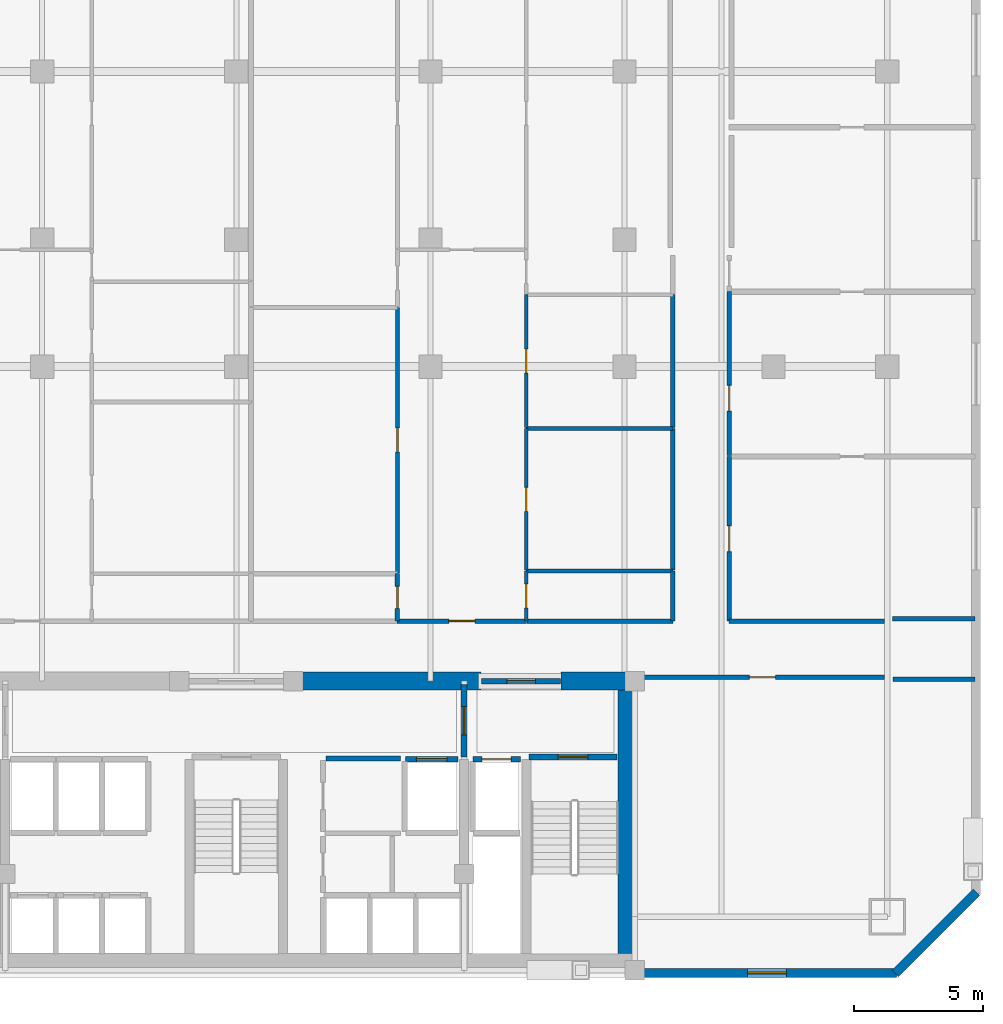
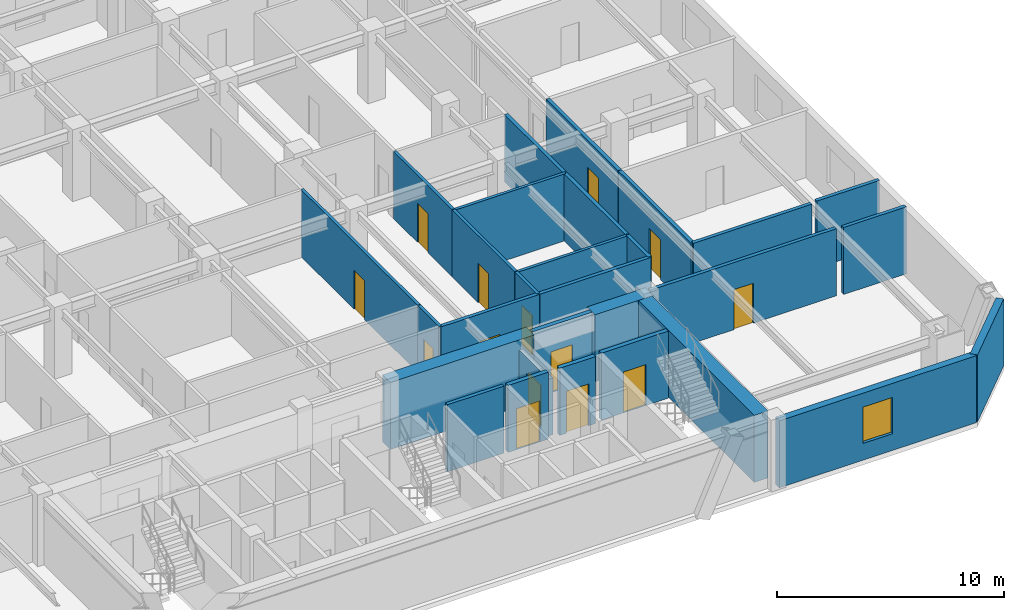
# One storey, part 5 of 9: 29 walls, 14 doors, 1 window, 15 openings.
"""IFC4 building model written with IfcOpenShell, lengths in metres."""

from ifc_helpers import new_model, si_unit, direction, frame, frame_2d, origin, place, context, subcontext, project, spatial, rectangle, extrude, material, layer, layer_set, type_object, element, fill, save


model = new_model("IFC4")

# Units and contexts
model_context = context("Model", 3, precision=1e-05, world=origin(), true_north=direction((0.0, 1.0)))
body_context = subcontext(model_context, "Body", "Model", "MODEL_VIEW")
ifc_project = project(units=[si_unit("LENGTHUNIT", "METRE"), si_unit("AREAUNIT", "SQUARE_METRE"), si_unit("VOLUMEUNIT", "CUBIC_METRE"), si_unit("PLANEANGLEUNIT", "RADIAN"), si_unit("MASSUNIT", "GRAM", prefix="KILO")], contexts=[model_context])

# Site, building, storey
site_placement = place(None, origin())
site = spatial("IfcSite", under=ifc_project, at=site_placement, CompositionType="ELEMENT")
building_placement = place(site_placement, origin())
building = spatial("IfcBuilding", under=site, at=building_placement, Name="Ventersveld Concourse Tower", CompositionType="ELEMENT")
storey_placement = place(building_placement, frame((0.0, 0.0, 84.89990234375)))
storey = spatial("IfcBuildingStorey", under=building, at=storey_placement, Name="L20", CompositionType="ELEMENT", Elevation=84.89990234375)

# Walls
ifc_material_1 = material(Name="Concrete C60/75", Category="concrete")
ifc_layer_1 = layer(ifc_material_1, 0.699951171875)
ifc_layer_set_1 = layer_set([ifc_layer_1], Name="Concrete C60/75")
wall_type_1 = type_object("IfcWallType", Name="WL-CORE-700", PredefinedType="SHEAR", material=ifc_layer_set_1)
wall_1_placement = place(storey_placement, frame((43.85009765625, 0.919921875, 0.0), z_axis=(0.0, 0.0, 1.0), x_axis=(0.0, 1.0, 0.0)))
element("IfcWall", 1, at=wall_1_placement, inside=storey, type_object=wall_type_1, Name="L20 Rear Core East Shear Wall", PredefinedType="SHEAR", context=body_context, shape_type="SweptSolid", body=[
    extrude(rectangle(XDim=10.530029296875, YDim=0.699951171875, at=frame_2d((5.26513671875, 0.0))), origin(), (0.0, 0.0, 1.0), 3.60009765625),
])
wall_2_placement = place(storey_placement, frame((30.89990234375, 11.449951171875, 0.0), z_axis=(0.0, 0.0, 1.0), x_axis=(1.0, 0.0, 0.0)))
element("IfcWall", 2, at=wall_2_placement, inside=storey, type_object=wall_type_1, Name="L20 Rear Core North Shear Wall NMR", PredefinedType="SHEAR", context=body_context, shape_type="SweptSolid", body=[
    extrude(rectangle(XDim=7.300048828125, YDim=0.699951171875, at=frame_2d((3.64990234375, 0.0))), origin(), (0.0, 0.0, 1.0), 3.60009765625),
])
wall_3_placement = place(storey_placement, frame((41.300048828125, 11.449951171875, 0.0), z_axis=(0.0, 0.0, 1.0), x_axis=(1.0, 0.0, 0.0)))
element("IfcWall", 3, at=wall_3_placement, inside=storey, type_object=wall_type_1, Name="L20 Rear Core North Shear Wall NE", PredefinedType="SHEAR", context=body_context, shape_type="SweptSolid", body=[
    extrude(rectangle(XDim=2.949951171875, YDim=0.699951171875, at=frame_2d((1.47509765625, 0.0))), origin(), (0.0, 0.0, 1.0), 3.60009765625),
])
ifc_material_2 = material(Name="Fire-rated autoclaved aerated masonry blockwork", Category="masonry")
ifc_layer_2 = layer(ifc_material_2, 0.179931640625)
ifc_layer_set_2 = layer_set([ifc_layer_2], Name="Fire-rated autoclaved aerated masonry blockwork")
wall_type_2 = type_object("IfcWallType", Name="WL-CORR-180", PredefinedType="PARTITIONING", material=ifc_layer_set_2)
wall_4_placement = place(storey_placement, frame((32.219970703125, 8.4599609375, 0.0), z_axis=(0.0, 0.0, 1.0), x_axis=(1.0, 0.0, 0.0)))
element("IfcWall", 4, at=wall_4_placement, inside=storey, type_object=wall_type_2, Name="L20 Core Top Wall SP-L20-CBAY1", PredefinedType="PARTITIONING", context=body_context, shape_type="SweptSolid", body=[
    extrude(rectangle(XDim=2.880126953125, YDim=0.179931640625, at=frame_2d((1.43994140625, 0.0))), origin(), (0.0, 0.0, 1.0), 3.60009765625),
])

# Wall, opening, door
wall_5_placement = place(storey_placement, frame((44.35498046875, 11.60009765625, 0.0), z_axis=(0.0, 0.0, 1.0), x_axis=(1.0, 0.0, 0.0)))
wall_5 = element("IfcWall", 5, at=wall_5_placement, inside=storey, type_object=wall_type_2, Name="L20 Interior Partition SP-L20-SE-OFF-SP-L20-COR", PredefinedType="PARTITIONING", context=body_context, shape_type="SweptSolid", body=[
    extrude(rectangle(XDim=9.43994140625, YDim=0.179931640625, at=frame_2d((4.719970703125, 0.0))), origin(), (0.0, 0.0, 1.0), 3.60009765625),
])
opening_1_placement = place(wall_5_placement, frame((4.219970703125, 0.0, 0.0)))
opening_1 = element("IfcOpeningElement", 6, at=opening_1_placement, cuts=wall_5, Name="Opening FD3", PredefinedType="OPENING", context=body_context, shape_type="SweptSolid", body=[
    extrude(rectangle(XDim=1.0, YDim=2.14990234375, at=frame_2d((0.5, 1.074951171875))), frame((0.0, 0.10009765625, 0.0), z_axis=(0.0, -1.0, 0.0), x_axis=(1.0, 0.0, 0.0)), (0.0, 0.0, 1.0), 0.199951171875),
])
ifc_material_3 = material(Name="Solid-core hardwood veneer timber", Category="wood")
door_type_1 = type_object("IfcDoorType", Name="DR-FLAT-100", OperationType="NOTDEFINED", PredefinedType="DOOR", material=ifc_material_3)
door_1_placement = place(opening_1_placement, origin())
door_1 = element("IfcDoor", 7, at=door_1_placement, inside=storey, type_object=door_type_1, Name="L20 Interior Door SP-L20-SE-OFF to SP-L20-COR (D-L20-0954)", OperationType="SINGLE_SWING_RIGHT", OverallHeight=2.14990234375, OverallWidth=1.0, PredefinedType="DOOR", context=body_context, shape_type="SweptSolid", body=[
    extrude(rectangle(XDim=1.0, YDim=2.14990234375, at=frame_2d((0.5, 1.074951171875))), frame((0.0, 0.02490234375, 0.0), z_axis=(0.0, -1.0, 0.0), x_axis=(1.0, 0.0, 0.0)), (0.0, 0.0, 1.0), 0.050048828125),
])
fill(opening_1, door_1)

wall_6_placement = place(storey_placement, frame((47.7900390625, 13.764892578125, 0.0), z_axis=(0.0, 0.0, 1.0), x_axis=(0.0, 1.0, 0.0)))
wall_6 = element("IfcWall", 8, at=wall_6_placement, inside=storey, type_object=wall_type_2, Name="L20 Interior Partition SP-L20-COR-SP-L20-NELNG1", PredefinedType="PARTITIONING", context=body_context, shape_type="SweptSolid", body=[
    extrude(rectangle(XDim=6.3701171875, YDim=0.179931640625, at=frame_2d((3.18505859375, 0.0))), origin(), (0.0, 0.0, 1.0), 3.60009765625),
])
opening_2_placement = place(wall_6_placement, frame((2.68505859375, 0.0, 0.0)))
opening_2 = element("IfcOpeningElement", 9, at=opening_2_placement, cuts=wall_6, Name="Opening FD3", PredefinedType="OPENING", context=body_context, shape_type="SweptSolid", body=[
    extrude(rectangle(XDim=1.0, YDim=2.14990234375, at=frame_2d((0.5, 1.074951171875))), frame((0.0, 0.10009765625, 0.0), z_axis=(0.0, -1.0, 0.0), x_axis=(1.0, 0.0, 0.0)), (0.0, 0.0, 1.0), 0.199951171875),
])
door_2_placement = place(opening_2_placement, origin())
door_2 = element("IfcDoor", 10, at=door_2_placement, inside=storey, type_object=door_type_1, Name="L20 Interior Door SP-L20-COR to SP-L20-NELNG1 (D-L20-0958)", OperationType="SINGLE_SWING_RIGHT", OverallHeight=2.14990234375, OverallWidth=1.0, PredefinedType="DOOR", context=body_context, shape_type="SweptSolid", body=[
    extrude(rectangle(XDim=1.0, YDim=2.14990234375, at=frame_2d((0.5, 1.074951171875))), frame((0.0, 0.02490234375, 0.0), z_axis=(0.0, -1.0, 0.0), x_axis=(1.0, 0.0, 0.0)), (0.0, 0.0, 1.0), 0.050048828125),
])
fill(opening_2, door_2)

# Wall
wall_7_placement = place(storey_placement, frame((47.784912109375, 13.77001953125, 0.0), z_axis=(0.0, 0.0, 1.0), x_axis=(1.0, 0.0, 0.0)))
element("IfcWall", 11, at=wall_7_placement, inside=storey, type_object=wall_type_2, Name="L20 Interior Partition SP-L20-COR-SP-L20-NELNG1", PredefinedType="PARTITIONING", context=body_context, shape_type="SweptSolid", body=[
    extrude(rectangle(XDim=6.010009765625, YDim=0.179931640625, at=frame_2d((3.0048828125, 0.0))), origin(), (0.0, 0.0, 1.0), 3.60009765625),
])

# Wall, opening, door
wall_8_placement = place(storey_placement, frame((47.7900390625, 20.1650390625, 0.0), z_axis=(0.0, 0.0, 1.0), x_axis=(0.0, 1.0, 0.0)))
wall_8 = element("IfcWall", 12, at=wall_8_placement, inside=storey, type_object=wall_type_2, Name="L20 Interior Partition SP-L20-COR-SP-L20-NELNG2", PredefinedType="PARTITIONING", context=body_context, shape_type="SweptSolid", body=[
    extrude(rectangle(XDim=6.330078125, YDim=0.179931640625, at=frame_2d((3.1650390625, 0.0))), origin(), (0.0, 0.0, 1.0), 3.60009765625),
])
opening_3_placement = place(wall_8_placement, frame((1.715576171875, 0.0, 0.0)))
opening_3 = element("IfcOpeningElement", 13, at=opening_3_placement, cuts=wall_8, Name="Opening FD3", PredefinedType="OPENING", context=body_context, shape_type="SweptSolid", body=[
    extrude(rectangle(XDim=1.0, YDim=2.14990234375, at=frame_2d((0.5, 1.074951171875))), frame((0.0, 0.10009765625, 0.0), z_axis=(0.0, -1.0, 0.0), x_axis=(1.0, 0.0, 0.0)), (0.0, 0.0, 1.0), 0.199951171875),
])
door_3_placement = place(opening_3_placement, origin())
door_3 = element("IfcDoor", 14, at=door_3_placement, inside=storey, type_object=door_type_1, Name="L20 Interior Door SP-L20-COR to SP-L20-NELNG2 (D-L20-0959)", OperationType="SINGLE_SWING_LEFT", OverallHeight=2.14990234375, OverallWidth=1.0, PredefinedType="DOOR", context=body_context, shape_type="SweptSolid", body=[
    extrude(rectangle(XDim=1.0, YDim=2.14990234375, at=frame_2d((0.5, 1.074951171875))), frame((0.0, 0.02490234375, 0.0), z_axis=(0.0, -1.0, 0.0), x_axis=(1.0, 0.0, 0.0)), (0.0, 0.0, 1.0), 0.050048828125),
])
fill(opening_3, door_3)

wall_9_placement = place(storey_placement, frame((34.967041015625, 13.77001953125, 0.0), z_axis=(0.0, 0.0, 1.0), x_axis=(1.0, 0.0, 0.0)))
wall_9 = element("IfcWall", 15, at=wall_9_placement, inside=storey, type_object=wall_type_2, Name="L20 Interior Partition SP-L20-COR-SP-L20-20N2-FOY", PredefinedType="PARTITIONING", context=body_context, shape_type="SweptSolid", body=[
    extrude(rectangle(XDim=4.989990234375, YDim=0.179931640625, at=frame_2d((2.4951171875, 0.0))), origin(), (0.0, 0.0, 1.0), 3.60009765625),
])
opening_4_placement = place(wall_9_placement, frame((1.9951171875, 0.0, 0.0)))
opening_4 = element("IfcOpeningElement", 16, at=opening_4_placement, cuts=wall_9, Name="Opening FD3", PredefinedType="OPENING", context=body_context, shape_type="SweptSolid", body=[
    extrude(rectangle(XDim=1.0, YDim=2.14990234375, at=frame_2d((0.5, 1.074951171875))), frame((0.0, 0.10009765625, 0.0), z_axis=(0.0, -1.0, 0.0), x_axis=(1.0, 0.0, 0.0)), (0.0, 0.0, 1.0), 0.199951171875),
])
door_4_placement = place(opening_4_placement, origin())
door_4 = element("IfcDoor", 17, at=door_4_placement, inside=storey, type_object=door_type_1, Name="L20 Interior Door SP-L20-COR to SP-L20-20N2-FOY (FD-L20-0962)", OperationType="SINGLE_SWING_RIGHT", OverallHeight=2.14990234375, OverallWidth=1.0, PredefinedType="DOOR", context=body_context, shape_type="SweptSolid", body=[
    extrude(rectangle(XDim=1.0, YDim=2.14990234375, at=frame_2d((0.5, 1.074951171875))), frame((0.0, 0.02490234375, 0.0), z_axis=(0.0, -1.0, 0.0), x_axis=(1.0, 0.0, 0.0)), (0.0, 0.0, 1.0), 0.050048828125),
])
fill(opening_4, door_4)

# Walls
wall_10_placement = place(storey_placement, frame((39.987060546875, 13.77001953125, 0.0), z_axis=(0.0, 0.0, 1.0), x_axis=(1.0, 0.0, 0.0)))
element("IfcWall", 18, at=wall_10_placement, inside=storey, type_object=wall_type_2, Name="L20 Interior Partition SP-L20-COR-SP-L20-20N2-KIT", PredefinedType="PARTITIONING", context=body_context, shape_type="SweptSolid", body=[
    extrude(rectangle(XDim=5.6279296875, YDim=0.179931640625, at=frame_2d((2.81396484375, 0.0))), origin(), (0.0, 0.0, 1.0), 3.60009765625),
])
wall_11_placement = place(storey_placement, frame((45.610107421875, 13.764892578125, 0.0), z_axis=(0.0, 0.0, 1.0), x_axis=(0.0, 1.0, 0.0)))
element("IfcWall", 19, at=wall_11_placement, inside=storey, type_object=wall_type_2, Name="L20 Interior Partition SP-L20-COR-SP-L20-20N2-KIT", PredefinedType="PARTITIONING", context=body_context, shape_type="SweptSolid", body=[
    extrude(rectangle(XDim=1.942626953125, YDim=0.179931640625, at=frame_2d((0.97119140625, 0.0))), origin(), (0.0, 0.0, 1.0), 3.60009765625),
])
wall_12_placement = place(storey_placement, frame((45.610107421875, 15.737548828125, 0.0), z_axis=(0.0, 0.0, 1.0), x_axis=(0.0, 1.0, 0.0)))
element("IfcWall", 20, at=wall_12_placement, inside=storey, type_object=wall_type_2, Name="L20 Interior Partition SP-L20-COR-SP-L20-20N2-SEMR1", PredefinedType="PARTITIONING", context=body_context, shape_type="SweptSolid", body=[
    extrude(rectangle(XDim=5.471923828125, YDim=0.179931640625, at=frame_2d((2.73583984375, 0.0))), origin(), (0.0, 0.0, 1.0), 3.60009765625),
])
wall_13_placement = place(storey_placement, frame((45.610107421875, 21.239501953125, 0.0), z_axis=(0.0, 0.0, 1.0), x_axis=(0.0, 1.0, 0.0)))
element("IfcWall", 21, at=wall_13_placement, inside=storey, type_object=wall_type_2, Name="L20 Interior Partition SP-L20-COR-SP-L20-20N2-SEMR3", PredefinedType="PARTITIONING", context=body_context, shape_type="SweptSolid", body=[
    extrude(rectangle(XDim=5.145263671875, YDim=0.179931640625, at=frame_2d((2.57275390625, 0.0))), origin(), (0.0, 0.0, 1.0), 3.60009765625),
])
wall_14_placement = place(storey_placement, frame((54.1123046875, 11.52001953125, 0.0), z_axis=(0.0, 0.0, 1.0), x_axis=(1.0, 0.0, 0.0)))
element("IfcWall", 22, at=wall_14_placement, inside=storey, type_object=wall_type_2, Name="L20 Room Enclosure Wall SP-L20-SE-OFF", PredefinedType="PARTITIONING", context=body_context, shape_type="SweptSolid", body=[
    extrude(rectangle(XDim=3.177734375, YDim=0.179931640625, at=frame_2d((1.5888671875, 0.0))), origin(), (0.0, 0.0, 1.0), 3.60009765625),
])
wall_15_placement = place(storey_placement, frame((57.2900390625, 13.860107421875, 0.0), z_axis=(0.0, 0.0, 1.0), x_axis=(-1.0, 0.0, 0.0)))
element("IfcWall", 23, at=wall_15_placement, inside=storey, type_object=wall_type_2, Name="L20 Room Enclosure Wall SP-L20-NELNG1", PredefinedType="PARTITIONING", context=body_context, shape_type="SweptSolid", body=[
    extrude(rectangle(XDim=3.18017578125, YDim=0.179931640625, at=frame_2d((1.590087890625, 0.0))), origin(), (0.0, 0.0, 1.0), 3.60009765625),
])

# Wall, opening, door
ifc_layer_3 = layer(ifc_material_2, 0.219970703125)
ifc_layer_set_3 = layer_set([ifc_layer_3], Name="Fire-rated autoclaved aerated masonry blockwork")
wall_type_3 = type_object("IfcWallType", Name="WL-HOIST-220", PredefinedType="SOLIDWALL", material=ifc_layer_set_3)
wall_16_placement = place(storey_placement, frame((37.89990234375, 8.429931640625, 0.0), z_axis=(0.0, 0.0, 1.0), x_axis=(1.0, 0.0, 0.0)))
wall_16 = element("IfcWall", 24, at=wall_16_placement, inside=storey, type_object=wall_type_3, Name="L20 Lift Hoistway Front Wall FFL-02", PredefinedType="SOLIDWALL", context=body_context, shape_type="SweptSolid", body=[
    extrude(rectangle(XDim=1.820068359375, YDim=0.219970703125, at=frame_2d((0.91015625, 0.0))), origin(), (0.0, 0.0, 1.0), 3.60009765625),
])
opening_5_placement = place(wall_16_placement, frame((0.35009765625, 0.0, 0.0)))
opening_5 = element("IfcOpeningElement", 25, at=opening_5_placement, cuts=wall_16, Name="Opening LD1", PredefinedType="OPENING", context=body_context, shape_type="SweptSolid", body=[
    extrude(rectangle(XDim=1.1201171875, YDim=2.25, at=frame_2d((0.56005859375, 1.125))), frame((0.0, 0.1201171875, 0.0), z_axis=(0.0, -1.0, 0.0), x_axis=(1.0, 0.0, 0.0)), (0.0, 0.0, 1.0), 0.239990234375),
])
ifc_material_4 = material(Name="Brushed stainless steel 316", Category="steel")
door_type_2 = type_object("IfcDoorType", Name="LD-FF-112", OperationType="SLIDING_TO_LEFT", PredefinedType="DOOR", material=ifc_material_4)
door_5_placement = place(opening_5_placement, origin())
door_5 = element("IfcDoor", 26, at=door_5_placement, inside=storey, type_object=door_type_2, Name="L20 Lift landing door FFL-02 (LD-L20-FFL-02)", OperationType="SLIDING_TO_RIGHT", OverallHeight=2.25, OverallWidth=1.1201171875, PredefinedType="DOOR", context=body_context, shape_type="SweptSolid", body=[
    extrude(rectangle(XDim=1.1201171875, YDim=2.25, at=frame_2d((0.56005859375, 1.125))), frame((0.0, 0.02490234375, 0.0), z_axis=(0.0, -1.0, 0.0), x_axis=(1.0, 0.0, 0.0)), (0.0, 0.0, 1.0), 0.050048828125),
])
fill(opening_5, door_5)

wall_17_placement = place(storey_placement, frame((35.280029296875, 8.429931640625, 0.0), z_axis=(0.0, 0.0, 1.0), x_axis=(1.0, 0.0, 0.0)))
wall_17 = element("IfcWall", 27, at=wall_17_placement, inside=storey, type_object=wall_type_3, Name="L20 Lift Hoistway Front Wall SVL-01", PredefinedType="SOLIDWALL", context=body_context, shape_type="SweptSolid", body=[
    extrude(rectangle(XDim=2.0400390625, YDim=0.219970703125, at=frame_2d((1.02001953125, 0.0))), origin(), (0.0, 0.0, 1.0), 3.60009765625),
])
opening_6_placement = place(wall_17_placement, frame((0.429931640625, 0.0, 0.0)))
opening_6 = element("IfcOpeningElement", 28, at=opening_6_placement, cuts=wall_17, Name="Opening LD2", PredefinedType="OPENING", context=body_context, shape_type="SweptSolid", body=[
    extrude(rectangle(XDim=1.179931640625, YDim=2.199951171875, at=frame_2d((0.58984375, 1.10009765625))), frame((0.0, 0.1201171875, 0.0), z_axis=(0.0, -1.0, 0.0), x_axis=(1.0, 0.0, 0.0)), (0.0, 0.0, 1.0), 0.239990234375),
])
door_type_3 = type_object("IfcDoorType", Name="LD-PAX-118", OperationType="SLIDING_TO_LEFT", PredefinedType="DOOR", material=ifc_material_4)
door_6_placement = place(opening_6_placement, origin())
door_6 = element("IfcDoor", 29, at=door_6_placement, inside=storey, type_object=door_type_3, Name="L20 Lift landing door SVL-01 (LD-L20-SVL-01)", OperationType="SLIDING_TO_LEFT", OverallHeight=2.199951171875, OverallWidth=1.179931640625, PredefinedType="DOOR", context=body_context, shape_type="SweptSolid", body=[
    extrude(rectangle(XDim=1.179931640625, YDim=2.199951171875, at=frame_2d((0.58984375, 1.10009765625))), frame((0.0, 0.02490234375, 0.0), z_axis=(0.0, -1.0, 0.0), x_axis=(1.0, 0.0, 0.0)), (0.0, 0.0, 1.0), 0.050048828125),
])
fill(opening_6, door_6)

wall_18_placement = place(storey_placement, frame((40.06005859375, 8.52001953125, 0.0), z_axis=(0.0, 0.0, 1.0), x_axis=(1.0, 0.0, 0.0)))
wall_18 = element("IfcWall", 30, at=wall_18_placement, inside=storey, type_object=wall_type_3, Name="L20 Escape Stair ST02 Fire Wall", PredefinedType="SOLIDWALL", context=body_context, shape_type="SweptSolid", body=[
    extrude(rectangle(XDim=3.39990234375, YDim=0.219970703125, at=frame_2d((1.699951171875, 0.0))), origin(), (0.0, 0.0, 1.0), 3.60009765625),
])
opening_7_placement = place(wall_18_placement, frame((1.125, 0.0, 0.0)))
opening_7 = element("IfcOpeningElement", 31, at=opening_7_placement, cuts=wall_18, Name="Opening FD1", PredefinedType="OPENING", context=body_context, shape_type="SweptSolid", body=[
    extrude(rectangle(XDim=1.14990234375, YDim=2.199951171875, at=frame_2d((0.574951171875, 1.10009765625))), frame((0.0, 0.1201171875, 0.0), z_axis=(0.0, -1.0, 0.0), x_axis=(1.0, 0.0, 0.0)), (0.0, 0.0, 1.0), 0.239990234375),
])
ifc_material_5 = material(Name="Galvanised painted steel", Category="steel")
door_type_4 = type_object("IfcDoorType", Name="DR-STAIR-115", OperationType="NOTDEFINED", PredefinedType="DOOR", material=ifc_material_5)
door_7_placement = place(opening_7_placement, origin())
door_7 = element("IfcDoor", 32, at=door_7_placement, inside=storey, type_object=door_type_4, Name="L20 Escape Stair Door ST02 (SD-L20-0944)", OperationType="SINGLE_SWING_RIGHT", OverallHeight=2.199951171875, OverallWidth=1.14990234375, PredefinedType="DOOR", context=body_context, shape_type="SweptSolid", body=[
    extrude(rectangle(XDim=1.14990234375, YDim=2.199951171875, at=frame_2d((0.574951171875, 1.10009765625))), frame((0.0, 0.02490234375, 0.0), z_axis=(0.0, -1.0, 0.0), x_axis=(1.0, 0.0, 0.0)), (0.0, 0.0, 1.0), 0.050048828125),
])
fill(opening_7, door_7)

wall_19_placement = place(storey_placement, frame((37.550048828125, 8.52001953125, 0.0), z_axis=(0.0, 0.0, 1.0), x_axis=(0.0, 1.0, 0.0)))
wall_19 = element("IfcWall", 33, at=wall_19_placement, inside=storey, type_object=wall_type_3, Name="L20 Firefighting Lobby Smoke-Stop Wall FFLE-SEP", PredefinedType="SOLIDWALL", context=body_context, shape_type="SweptSolid", body=[
    extrude(rectangle(XDim=2.800048828125, YDim=0.219970703125, at=frame_2d((1.39990234375, 0.0))), origin(), (0.0, 0.0, 1.0), 3.0556640625),
])
opening_8_placement = place(wall_19_placement, frame((0.85009765625, 0.0, 0.0)))
opening_8 = element("IfcOpeningElement", 34, at=opening_8_placement, cuts=wall_19, Name="Opening FD2", PredefinedType="OPENING", context=body_context, shape_type="SweptSolid", body=[
    extrude(rectangle(XDim=1.10009765625, YDim=2.199951171875, at=frame_2d((0.550048828125, 1.10009765625))), frame((0.0, 0.1201171875, 0.0), z_axis=(0.0, -1.0, 0.0), x_axis=(1.0, 0.0, 0.0)), (0.0, 0.0, 1.0), 0.239990234375),
])
door_type_5 = type_object("IfcDoorType", Name="DR-FFL-110", OperationType="NOTDEFINED", PredefinedType="DOOR", material=ifc_material_5)
door_8_placement = place(opening_8_placement, origin())
door_8 = element("IfcDoor", 35, at=door_8_placement, inside=storey, type_object=door_type_5, Name="L20 Firefighting Lobby Door FFLE-SEP (FD-L20-0947)", OperationType="SINGLE_SWING_RIGHT", OverallHeight=2.199951171875, OverallWidth=1.10009765625, PredefinedType="DOOR", context=body_context, shape_type="SweptSolid", body=[
    extrude(rectangle(XDim=1.10009765625, YDim=2.199951171875, at=frame_2d((0.550048828125, 1.10009765625))), frame((0.0, 0.02490234375, 0.0), z_axis=(0.0, -1.0, 0.0), x_axis=(1.0, 0.0, 0.0)), (0.0, 0.0, 1.0), 0.050048828125),
])
fill(opening_8, door_8)

wall_20_placement = place(storey_placement, frame((38.22998046875, 11.449951171875, 0.0), z_axis=(0.0, 0.0, 1.0), x_axis=(1.0, 0.0, 0.0)))
wall_20 = element("IfcWall", 36, at=wall_20_placement, inside=storey, type_object=wall_type_3, Name="L20 Core North Fire Portal FFLE-OUT", PredefinedType="SOLIDWALL", context=body_context, shape_type="SweptSolid", body=[
    extrude(rectangle(XDim=3.0400390625, YDim=0.219970703125, at=frame_2d((1.52001953125, 0.0))), origin(), (0.0, 0.0, 1.0), 3.60009765625),
])
opening_9_placement = place(wall_20_placement, frame((0.969970703125, 0.0, 0.0)))
opening_9 = element("IfcOpeningElement", 37, at=opening_9_placement, cuts=wall_20, Name="Opening FD2", PredefinedType="OPENING", context=body_context, shape_type="SweptSolid", body=[
    extrude(rectangle(XDim=1.10009765625, YDim=2.199951171875, at=frame_2d((0.550048828125, 1.10009765625))), frame((0.0, 0.1201171875, 0.0), z_axis=(0.0, -1.0, 0.0), x_axis=(1.0, 0.0, 0.0)), (0.0, 0.0, 1.0), 0.239990234375),
])
door_9_placement = place(opening_9_placement, origin())
door_9 = element("IfcDoor", 38, at=door_9_placement, inside=storey, type_object=door_type_5, Name="L20 Core Lobby Fire Door FFLE-OUT (FD-L20-0950)", OperationType="SINGLE_SWING_LEFT", OverallHeight=2.199951171875, OverallWidth=1.10009765625, PredefinedType="DOOR", context=body_context, shape_type="SweptSolid", body=[
    extrude(rectangle(XDim=1.10009765625, YDim=2.199951171875, at=frame_2d((0.550048828125, 1.10009765625))), frame((0.0, 0.02490234375, 0.0), z_axis=(0.0, -1.0, 0.0), x_axis=(1.0, 0.0, 0.0)), (0.0, 0.0, 1.0), 0.050048828125),
])
fill(opening_9, door_9)

ifc_material_6 = material(Name="Autoclaved aerated masonry blockwork", Category="masonry")
ifc_layer_4 = layer(ifc_material_6, 0.14990234375)
ifc_layer_set_4 = layer_set([ifc_layer_4], Name="Autoclaved aerated masonry blockwork")
wall_type_4 = type_object("IfcWallType", Name="WL-INT-150", PredefinedType="PARTITIONING", material=ifc_layer_set_4)
wall_21_placement = place(storey_placement, frame((34.97216796875, 15.635009765625, 0.0), z_axis=(0.0, 0.0, 1.0), x_axis=(0.0, 1.0, 0.0)))
wall_21 = element("IfcWall", 39, at=wall_21_placement, inside=storey, type_object=wall_type_4, Name="L20 Interior Partition SP-L20-20N2-FOY-SP-L20-20N2-OFFL0", PredefinedType="PARTITIONING", context=body_context, shape_type="SweptSolid", body=[
    extrude(rectangle(XDim=10.25634765625, YDim=0.14990234375, at=frame_2d((5.128173828125, 0.0))), origin(), (0.0, 0.0, 1.0), 3.60009765625),
])
opening_10_placement = place(wall_21_placement, frame((4.668212890625, 0.0, 0.0)))
opening_10 = element("IfcOpeningElement", 40, at=opening_10_placement, cuts=wall_21, Name="Opening ID1", PredefinedType="OPENING", context=body_context, shape_type="SweptSolid", body=[
    extrude(rectangle(XDim=0.919921875, YDim=2.10009765625, at=frame_2d((0.4599609375, 1.050048828125))), frame((0.0, 0.0849609375, 0.0), z_axis=(0.0, -1.0, 0.0), x_axis=(1.0, 0.0, 0.0)), (0.0, 0.0, 1.0), 0.169921875),
])
door_type_6 = type_object("IfcDoorType", Name="DR-ROOM-092", OperationType="NOTDEFINED", PredefinedType="DOOR", material=ifc_material_3)
door_10_placement = place(opening_10_placement, origin())
door_10 = element("IfcDoor", 41, at=door_10_placement, inside=storey, type_object=door_type_6, Name="L20 Interior Door SP-L20-20N2-FOY to SP-L20-20N2-OFFL0 (D-L20-0986)", OperationType="SINGLE_SWING_RIGHT", OverallHeight=2.10009765625, OverallWidth=0.919921875, PredefinedType="DOOR", context=body_context, shape_type="SweptSolid", body=[
    extrude(rectangle(XDim=0.919921875, YDim=2.10009765625, at=frame_2d((0.4599609375, 1.050048828125))), frame((0.0, 0.02490234375, 0.0), z_axis=(0.0, -1.0, 0.0), x_axis=(1.0, 0.0, 0.0)), (0.0, 0.0, 1.0), 0.050048828125),
])
fill(opening_10, door_10)

wall_22_placement = place(storey_placement, frame((39.9521484375, 13.764892578125, 0.0), z_axis=(0.0, 0.0, 1.0), x_axis=(0.0, 1.0, 0.0)))
wall_22 = element("IfcWall", 42, at=wall_22_placement, inside=storey, type_object=wall_type_4, Name="L20 Interior Partition SP-L20-20N2-FOY-SP-L20-20N2-KIT", PredefinedType="PARTITIONING", context=body_context, shape_type="SweptSolid", body=[
    extrude(rectangle(XDim=1.942626953125, YDim=0.14990234375, at=frame_2d((0.97119140625, 0.0))), origin(), (0.0, 0.0, 1.0), 3.60009765625),
])
opening_11_placement = place(wall_22_placement, frame((0.51123046875, 0.0, 0.0)))
opening_11 = element("IfcOpeningElement", 43, at=opening_11_placement, cuts=wall_22, Name="Opening ID1", PredefinedType="OPENING", context=body_context, shape_type="SweptSolid", body=[
    extrude(rectangle(XDim=0.919921875, YDim=2.10009765625, at=frame_2d((0.4599609375, 1.050048828125))), frame((0.0, 0.0849609375, 0.0), z_axis=(0.0, -1.0, 0.0), x_axis=(1.0, 0.0, 0.0)), (0.0, 0.0, 1.0), 0.169921875),
])
door_11_placement = place(opening_11_placement, origin())
door_11 = element("IfcDoor", 44, at=door_11_placement, inside=storey, type_object=door_type_6, Name="L20 Interior Door SP-L20-20N2-FOY to SP-L20-20N2-KIT (D-L20-0988)", OperationType="SINGLE_SWING_RIGHT", OverallHeight=2.10009765625, OverallWidth=0.919921875, PredefinedType="DOOR", context=body_context, shape_type="SweptSolid", body=[
    extrude(rectangle(XDim=0.919921875, YDim=2.10009765625, at=frame_2d((0.4599609375, 1.050048828125))), frame((0.0, 0.02490234375, 0.0), z_axis=(0.0, -1.0, 0.0), x_axis=(1.0, 0.0, 0.0)), (0.0, 0.0, 1.0), 0.050048828125),
])
fill(opening_11, door_11)

wall_23_placement = place(storey_placement, frame((39.9521484375, 15.737548828125, 0.0), z_axis=(0.0, 0.0, 1.0), x_axis=(0.0, 1.0, 0.0)))
wall_23 = element("IfcWall", 45, at=wall_23_placement, inside=storey, type_object=wall_type_4, Name="L20 Interior Partition SP-L20-20N2-FOY-SP-L20-20N2-SEMR1", PredefinedType="PARTITIONING", context=body_context, shape_type="SweptSolid", body=[
    extrude(rectangle(XDim=5.471923828125, YDim=0.14990234375, at=frame_2d((2.73583984375, 0.0))), origin(), (0.0, 0.0, 1.0), 3.60009765625),
])
opening_12_placement = place(wall_23_placement, frame((2.27587890625, 0.0, 0.0)))
opening_12 = element("IfcOpeningElement", 46, at=opening_12_placement, cuts=wall_23, Name="Opening ID1", PredefinedType="OPENING", context=body_context, shape_type="SweptSolid", body=[
    extrude(rectangle(XDim=0.919921875, YDim=2.10009765625, at=frame_2d((0.4599609375, 1.050048828125))), frame((0.0, 0.0849609375, 0.0), z_axis=(0.0, -1.0, 0.0), x_axis=(1.0, 0.0, 0.0)), (0.0, 0.0, 1.0), 0.169921875),
])
door_12_placement = place(opening_12_placement, origin())
door_12 = element("IfcDoor", 47, at=door_12_placement, inside=storey, type_object=door_type_6, Name="L20 Interior Door SP-L20-20N2-FOY to SP-L20-20N2-SEMR1 (D-L20-0989)", OperationType="SINGLE_SWING_LEFT", OverallHeight=2.10009765625, OverallWidth=0.919921875, PredefinedType="DOOR", context=body_context, shape_type="SweptSolid", body=[
    extrude(rectangle(XDim=0.919921875, YDim=2.10009765625, at=frame_2d((0.4599609375, 1.050048828125))), frame((0.0, 0.02490234375, 0.0), z_axis=(0.0, -1.0, 0.0), x_axis=(1.0, 0.0, 0.0)), (0.0, 0.0, 1.0), 0.050048828125),
])
fill(opening_12, door_12)

wall_24_placement = place(storey_placement, frame((39.9521484375, 21.239501953125, 0.0), z_axis=(0.0, 0.0, 1.0), x_axis=(0.0, 1.0, 0.0)))
wall_24 = element("IfcWall", 48, at=wall_24_placement, inside=storey, type_object=wall_type_4, Name="L20 Interior Partition SP-L20-20N2-FOY-SP-L20-20N2-SEMR3", PredefinedType="PARTITIONING", context=body_context, shape_type="SweptSolid", body=[
    extrude(rectangle(XDim=5.145263671875, YDim=0.14990234375, at=frame_2d((2.57275390625, 0.0))), origin(), (0.0, 0.0, 1.0), 3.60009765625),
])
opening_13_placement = place(wall_24_placement, frame((2.112548828125, 0.0, 0.0)))
opening_13 = element("IfcOpeningElement", 49, at=opening_13_placement, cuts=wall_24, Name="Opening ID1", PredefinedType="OPENING", context=body_context, shape_type="SweptSolid", body=[
    extrude(rectangle(XDim=0.919921875, YDim=2.10009765625, at=frame_2d((0.4599609375, 1.050048828125))), frame((0.0, 0.0849609375, 0.0), z_axis=(0.0, -1.0, 0.0), x_axis=(1.0, 0.0, 0.0)), (0.0, 0.0, 1.0), 0.169921875),
])
door_13_placement = place(opening_13_placement, origin())
door_13 = element("IfcDoor", 50, at=door_13_placement, inside=storey, type_object=door_type_6, Name="L20 Interior Door SP-L20-20N2-FOY to SP-L20-20N2-SEMR3 (D-L20-0990)", OperationType="SINGLE_SWING_RIGHT", OverallHeight=2.10009765625, OverallWidth=0.919921875, PredefinedType="DOOR", context=body_context, shape_type="SweptSolid", body=[
    extrude(rectangle(XDim=0.919921875, YDim=2.10009765625, at=frame_2d((0.4599609375, 1.050048828125))), frame((0.0, 0.02490234375, 0.0), z_axis=(0.0, -1.0, 0.0), x_axis=(1.0, 0.0, 0.0)), (0.0, 0.0, 1.0), 0.050048828125),
])
fill(opening_13, door_13)

# Walls
for number, where, z_axis, x_axis, name in (
    (51, (39.947021484375, 15.702392578125, 0.0), (0.0, 0.0, 1.0), (1.0, 0.0, 0.0), "L20 Interior Partition SP-L20-20N2-KIT-SP-L20-20N2-SEMR1"),
    (52, (39.947021484375, 21.20458984375, 0.0), (0.0, 0.0, 1.0), (1.0, 0.0, 0.0), "L20 Interior Partition SP-L20-20N2-SEMR1-SP-L20-20N2-SEMR3"),
):
    element("IfcWall", number, at=place(storey_placement, frame(where, z_axis=z_axis, x_axis=x_axis)), inside=storey, type_object=wall_type_4, Name=name, PredefinedType="PARTITIONING", context=body_context, shape_type="SweptSolid", body=[
        extrude(rectangle(XDim=5.66796875, YDim=0.14990234375, at=frame_2d((2.833984375, 0.0))), origin(), (0.0, 0.0, 1.0), 3.60009765625),
    ])

# Wall, opening, window
ifc_material_7 = material(Name="Precast concrete C45/55", Category="concrete")
ifc_layer_5 = layer(ifc_material_7, 0.35009765625)
ifc_layer_set_5 = layer_set([ifc_layer_5], Name="Precast concrete C45/55")
wall_type_5 = type_object("IfcWallType", Name="WL-PREC-350", PredefinedType="SOLIDWALL", material=ifc_layer_set_5)
wall_25_placement = place(storey_placement, frame((44.25, 0.179931640625, 0.0), z_axis=(0.0, 0.0, 1.0), x_axis=(1.0, 0.0, 0.0)))
wall_25 = element("IfcWall", 53, at=wall_25_placement, inside=storey, type_object=wall_type_5, Name="L20 South-East Flank Precast Wall", PredefinedType="SOLIDWALL", context=body_context, shape_type="SweptSolid", body=[
    extrude(rectangle(XDim=10.010009765625, YDim=0.35009765625, at=frame_2d((5.0048828125, 0.0))), origin(), (0.0, 0.0, 1.0), 3.60009765625),
])
opening_14_placement = place(wall_25_placement, frame((4.2548828125, 0.0, 0.89990234375)))
opening_14 = element("IfcOpeningElement", 54, at=opening_14_placement, cuts=wall_25, Name="Opening W1", PredefinedType="OPENING", context=body_context, shape_type="SweptSolid", body=[
    extrude(rectangle(XDim=1.5, YDim=1.949951171875, at=frame_2d((0.75, 0.97509765625))), frame((0.0, 0.18505859375, 0.0), z_axis=(0.0, -1.0, 0.0), x_axis=(1.0, 0.0, 0.0)), (0.0, 0.0, 1.0), 0.3701171875),
])
ifc_material_8 = material(Name="Tempered acoustic Low-E IGU", Category="glass")
window_type = type_object("IfcWindowType", Name="WIN-150x210", PartitioningType="SINGLE_PANEL", PredefinedType="WINDOW", material=ifc_material_8)
window_placement = place(opening_14_placement, origin())
window = element("IfcWindow", 55, at=window_placement, inside=storey, type_object=window_type, Name="L20 Punched Low-E Window W-0207", OverallHeight=1.949951171875, OverallWidth=1.5, PartitioningType="SINGLE_PANEL", PredefinedType="WINDOW", context=body_context, shape_type="SweptSolid", body=[
    extrude(rectangle(XDim=1.5, YDim=1.949951171875, at=frame_2d((0.75, 0.97509765625))), frame((0.0, 0.030029296875, 0.0), z_axis=(0.0, -1.0, 0.0), x_axis=(1.0, 0.0, 0.0)), (0.0, 0.0, 1.0), 0.06005859375),
])
fill(opening_14, window)

# Wall
wall_26_placement = place(storey_placement, frame((54.20458984375, 0.152099609375, 0.0), z_axis=(0.0, 0.0, 1.0), x_axis=(0.707106781187, 0.707106781187, 0.0)))
element("IfcWall", 56, at=wall_26_placement, inside=storey, type_object=wall_type_5, Name="L20 Highveld Precast Facade Wall E02", PredefinedType="SOLIDWALL", context=body_context, shape_type="SweptSolid", body=[
    extrude(rectangle(XDim=4.4453125, YDim=0.35009765625, at=frame_2d((2.22265625, 0.0))), origin(), (0.0, 0.0, 1.0), 3.60009765625),
])

# Wall, opening, door
ifc_layer_6 = layer(ifc_material_6, 0.1650390625)
ifc_layer_set_6 = layer_set([ifc_layer_6], Name="Autoclaved aerated masonry blockwork")
wall_type_6 = type_object("IfcWallType", Name="WL-WET-165", PredefinedType="PLUMBINGWALL", material=ifc_layer_set_6)
wall_27_placement = place(storey_placement, frame((34.97216796875, 13.764892578125, 0.0), z_axis=(0.0, 0.0, 1.0), x_axis=(0.0, 1.0, 0.0)))
wall_27 = element("IfcWall", 57, at=wall_27_placement, inside=storey, type_object=wall_type_6, Name="L20 Interior Partition SP-L20-20N2-FOY-SP-L20-20N2-BATH", PredefinedType="PLUMBINGWALL", context=body_context, shape_type="SweptSolid", body=[
    extrude(rectangle(XDim=1.840087890625, YDim=0.1650390625, at=frame_2d((0.919921875, 0.0))), origin(), (0.0, 0.0, 1.0), 3.60009765625),
])
opening_15_placement = place(wall_27_placement, frame((0.4951171875, 0.0, 0.0)))
opening_15 = element("IfcOpeningElement", 58, at=opening_15_placement, cuts=wall_27, Name="Opening ID2", PredefinedType="OPENING", context=body_context, shape_type="SweptSolid", body=[
    extrude(rectangle(XDim=0.85009765625, YDim=2.10009765625, at=frame_2d((0.425048828125, 1.050048828125))), frame((0.0, 0.092529296875, 0.0), z_axis=(0.0, -1.0, 0.0), x_axis=(1.0, 0.0, 0.0)), (0.0, 0.0, 1.0), 0.18505859375),
])
door_type_7 = type_object("IfcDoorType", Name="DR-BATH-085", OperationType="NOTDEFINED", PredefinedType="DOOR", material=ifc_material_3)
door_14_placement = place(opening_15_placement, origin())
door_14 = element("IfcDoor", 59, at=door_14_placement, inside=storey, type_object=door_type_7, Name="L20 Interior Door SP-L20-20N2-FOY to SP-L20-20N2-BATH (D-L20-0985)", OperationType="SINGLE_SWING_LEFT", OverallHeight=2.10009765625, OverallWidth=0.85009765625, PredefinedType="DOOR", context=body_context, shape_type="SweptSolid", body=[
    extrude(rectangle(XDim=0.85009765625, YDim=2.10009765625, at=frame_2d((0.425048828125, 1.050048828125))), frame((0.0, 0.02490234375, 0.0), z_axis=(0.0, -1.0, 0.0), x_axis=(1.0, 0.0, 0.0)), (0.0, 0.0, 1.0), 0.050048828125),
])
fill(opening_15, door_14)

save(model, "model.ifc")
